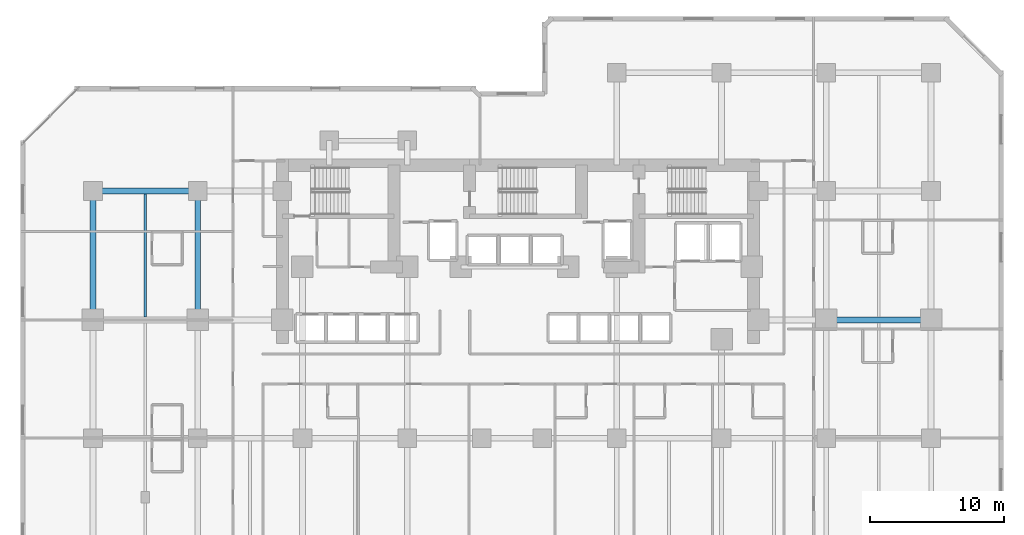
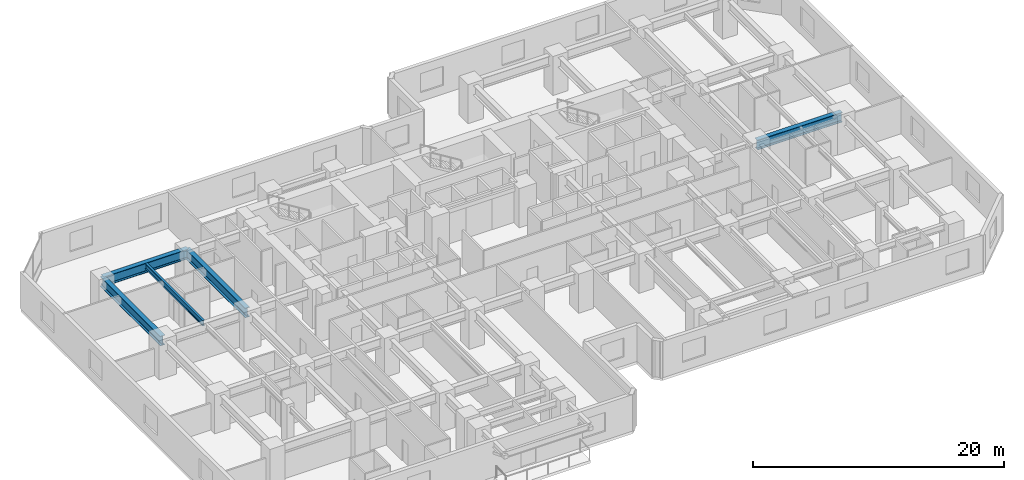
# One storey, part 2 of 12: 5 beams.
"""IFC4 building model written with IfcOpenShell, lengths in metres."""

from ifc_helpers import new_model, si_unit, direction, frame, origin, origin_2d, place, context, subcontext, project, spatial, i_section, extrude, material, material_profile, profile_set, type_object, element, save


model = new_model("IFC4")

# Units and contexts
model_context = context("Model", 3, precision=1e-05, world=origin(), true_north=direction((0.0, 1.0)))
body_context = subcontext(model_context, "Body", "Model", "MODEL_VIEW")
ifc_project = project(units=[si_unit("LENGTHUNIT", "METRE"), si_unit("AREAUNIT", "SQUARE_METRE"), si_unit("VOLUMEUNIT", "CUBIC_METRE"), si_unit("PLANEANGLEUNIT", "RADIAN"), si_unit("MASSUNIT", "GRAM", prefix="KILO")], contexts=[model_context])

# Site, building, storey
site_placement = place(None, origin())
site = spatial("IfcSite", under=ifc_project, at=site_placement, CompositionType="ELEMENT")
building_placement = place(site_placement, origin())
building = spatial("IfcBuilding", under=site, at=building_placement, Name="Kestravale Grand Hotel", CompositionType="ELEMENT")
storey_placement = place(building_placement, frame((0.0, 0.0, 67.800048828125)))
storey = spatial("IfcBuildingStorey", under=building, at=storey_placement, Name="L16", CompositionType="ELEMENT", Elevation=67.800048828125)

# Beams
ifc_material_1 = material(Name="Steel ASTM A992 Grade 50", Category="steel")
ifc_material_profile_1 = material_profile(ifc_material_1, i_section(OverallWidth=0.2099609375, OverallDepth=0.535888671875, WebThickness=0.010986328125, FlangeThickness=0.017333984375, FilletRadius=0.017578125, at=origin_2d()))
ifc_profile_set_1 = profile_set([ifc_material_profile_1], Name="Steel ASTM A992 Grade 50")
beam_type_1 = type_object("IfcBeamType", Name="B-FLR-JST21", PredefinedType="JOIST", material=ifc_profile_set_1)
beam_placement = place(storey_placement, frame((11.699951171875, 29.011962890625, 3.27197265625), z_axis=(0.0, 1.0, 0.0), x_axis=(-1.0, 0.0, 0.0)))
element("IfcBeam", 1, at=beam_placement, inside=storey, type_object=beam_type_1, Name="L16 floor joist 2-3/E-F #1", PredefinedType="JOIST", context=body_context, shape_type="SweptSolid", body=[
    extrude(i_section(OverallWidth=0.2099609375, OverallDepth=0.535888671875, WebThickness=0.010986328125, FlangeThickness=0.017333984375, FilletRadius=0.017578125, at=origin_2d()), origin(), (0.0, 0.0, 1.0), 9.176025390625),
])
ifc_material_2 = material(Name="Steel ASTM A992 Grade 50", Category="steel")
ifc_material_profile_2 = material_profile(ifc_material_2, i_section(OverallWidth=0.424072265625, OverallDepth=0.947021484375, WebThickness=0.02392578125, FlangeThickness=0.042724609375, FilletRadius=0.0283203125, at=origin_2d()))
ifc_profile_set_2 = profile_set([ifc_material_profile_2], Name="Steel ASTM A992 Grade 50")
beam_type_2 = type_object("IfcBeamType", Name="B-GRD-W36", PredefinedType="BEAM", material=ifc_profile_set_2)
for number, where, z_axis, x_axis, name in (
    (2, (62.39990234375, 28.800048828125, 3.06640625), (1.0, 0.0, 0.0), (0.0, 1.0, 0.0), "L16 girder E:10-11"),
    (3, (7.800048828125, 38.39990234375, 3.06640625), (1.0, 0.0, 0.0), (0.0, 1.0, 0.0), "L16 girder F:2-3"),
):
    element("IfcBeam", number, at=place(storey_placement, frame(where, z_axis=z_axis, x_axis=x_axis)), inside=storey, type_object=beam_type_2, Name=name, PredefinedType="BEAM", context=body_context, shape_type="SweptSolid", body=[
        extrude(i_section(OverallWidth=0.424072265625, OverallDepth=0.947021484375, WebThickness=0.02392578125, FlangeThickness=0.042724609375, FilletRadius=0.0283203125, at=origin_2d()), origin(), (0.0, 0.0, 1.0), 7.800048828125),
    ])
for number, where, z_axis, x_axis, name in (
    (4, (7.800048828125, 28.800048828125, 3.06640625), (0.0, 1.0, 0.0), (-1.0, 0.0, 0.0), "L16 girder 2:E-F"),
    (5, (15.60009765625, 28.800048828125, 3.06640625), (0.0, 1.0, 0.0), (-1.0, 0.0, 0.0), "L16 girder 3:E-F"),
):
    element("IfcBeam", number, at=place(storey_placement, frame(where, z_axis=z_axis, x_axis=x_axis)), inside=storey, type_object=beam_type_2, Name=name, PredefinedType="BEAM", context=body_context, shape_type="SweptSolid", body=[
        extrude(i_section(OverallWidth=0.424072265625, OverallDepth=0.947021484375, WebThickness=0.02392578125, FlangeThickness=0.042724609375, FilletRadius=0.0283203125, at=origin_2d()), origin(), (0.0, 0.0, 1.0), 9.599853515625),
    ])

save(model, "model.ifc")
